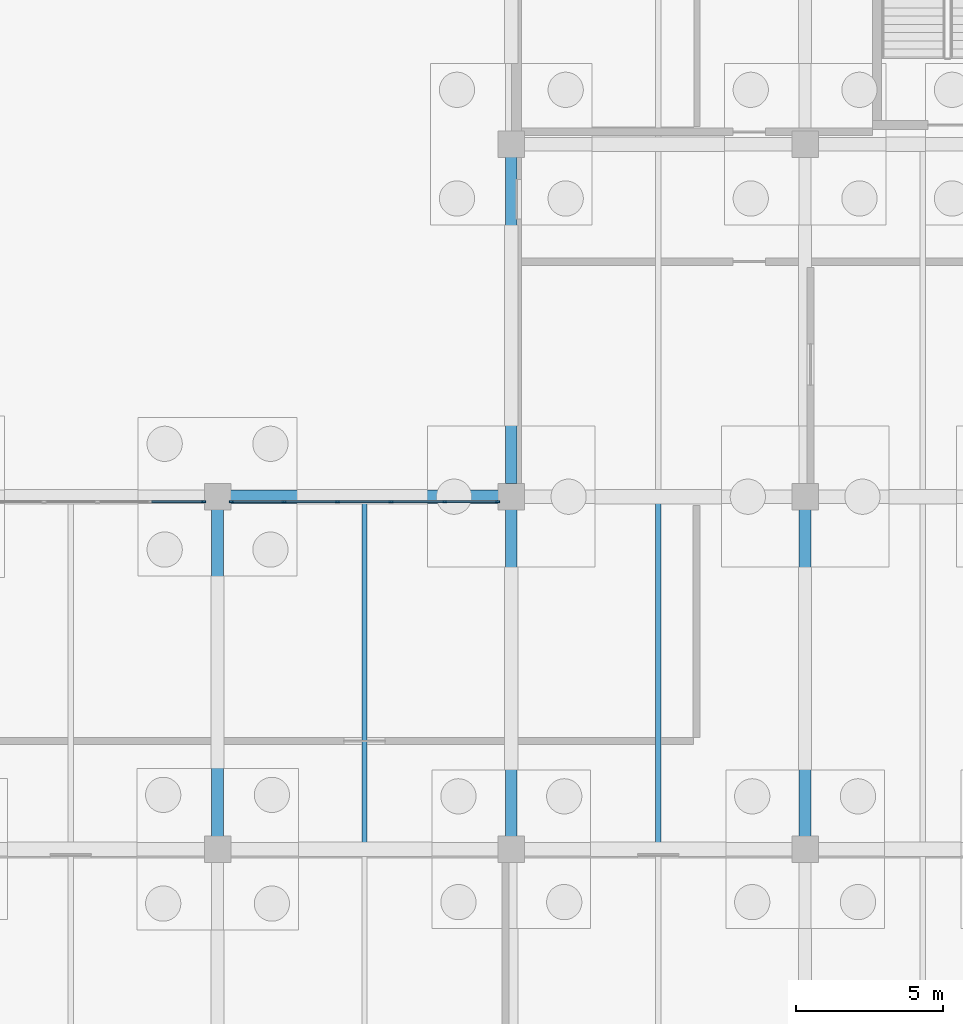
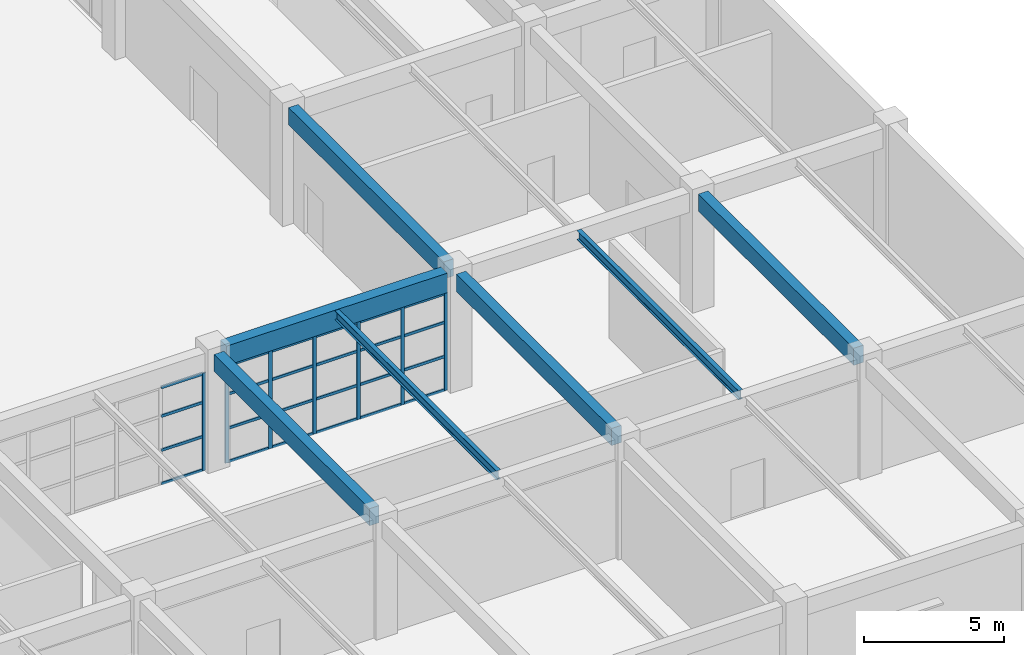
# One storey, part 57 of 99: 31 members, 7 beams, 2 elements without a shape of their own.
"""IFC4 building model written with IfcOpenShell, lengths in metres."""

from ifc_helpers import new_model, si_unit, direction, frame, origin, origin_2d, place, context, subcontext, project, spatial, rectangle, i_section, extrude, material, layer, layer_set, material_profile, profile_set, type_object, element, aggregate, save


model = new_model("IFC4")

# Units and contexts
model_context = context("Model", 3, precision=1e-05, world=origin(), true_north=direction((0.0, 1.0)))
body_context = subcontext(model_context, "Body", "Model", "MODEL_VIEW")
ifc_project = project(units=[si_unit("LENGTHUNIT", "METRE"), si_unit("AREAUNIT", "SQUARE_METRE"), si_unit("VOLUMEUNIT", "CUBIC_METRE"), si_unit("PLANEANGLEUNIT", "RADIAN"), si_unit("MASSUNIT", "GRAM", prefix="KILO")], contexts=[model_context])

# Site, building, storey
site_placement = place(None, origin())
site = spatial("IfcSite", under=ifc_project, at=site_placement, CompositionType="ELEMENT")
building_placement = place(site_placement, origin())
building = spatial("IfcBuilding", under=site, at=building_placement, Name="Kivolera Central Railway Station", CompositionType="ELEMENT")
storey_placement = place(building_placement, origin())
storey = spatial("IfcBuildingStorey", under=building, at=storey_placement, Name="L00", CompositionType="ELEMENT", Elevation=0.0)

# Beams
ifc_material_1 = material(Name="Steel S355", Category="steel")
ifc_material_profile_1 = material_profile(ifc_material_1, i_section(OverallWidth=0.179931640625, OverallDepth=0.39990234375, WebThickness=0.008544921875, FlangeThickness=0.013427734375, FilletRadius=0.02099609375, at=origin_2d()), Name="IPE 400")
ifc_profile_set_1 = profile_set([ifc_material_profile_1], Name="Steel S355")
beam_type_1 = type_object("IfcBeamType", Name="BM-JST-IPE400", PredefinedType="JOIST", material=ifc_profile_set_1)
for number, where, z_axis, x_axis, name in (
    (1, (173.0, 66.217041015625, 4.907958984375), (0.0, 1.0, 0.0), (-1.0, 0.0, 0.0), "L00 Floor Joist 17-18/F-G"),
    (2, (183.0, 66.217041015625, 4.907958984375), (0.0, 1.0, 0.0), (-1.0, 0.0, 0.0), "L00 Floor Joist 18-19/F-G"),
):
    element("IfcBeam", number, at=place(storey_placement, frame(where, z_axis=z_axis, x_axis=x_axis)), inside=storey, type_object=beam_type_1, Name=name, PredefinedType="JOIST", context=body_context, shape_type="SweptSolid", body=[
        extrude(i_section(OverallWidth=0.179931640625, OverallDepth=0.39990234375, WebThickness=0.008544921875, FlangeThickness=0.013427734375, FilletRadius=0.02099609375, at=origin_2d()), origin(), (0.0, 0.0, 1.0), 11.56591796875),
    ])
ifc_material_2 = material(Name="Concrete C40/50", Category="concrete")
ifc_material_profile_2 = material_profile(ifc_material_2, rectangle(XDim=0.39990234375, YDim=0.75, at=origin_2d()), Name="RC 400x750")
ifc_profile_set_2 = profile_set([ifc_material_profile_2], Name="Concrete C40/50")
beam_type_2 = type_object("IfcBeamType", Name="BM-RC-400x750", PredefinedType="BEAM", material=ifc_profile_set_2)
for number, where, z_axis, x_axis, name in (
    (3, (168.0, 66.44189453125, 4.7451171875), (0.0, 1.0, 0.0), (-1.0, 0.0, 0.0), "L00 Wing Y-Beam 17:F-G"),
    (4, (178.0, 66.44189453125, 4.7451171875), (0.0, 1.0, 0.0), (-1.0, 0.0, 0.0), "L00 Wing Y-Beam 18:F-G"),
    (5, (178.0, 78.44189453125, 4.7451171875), (0.0, 1.0, 0.0), (-1.0, 0.0, 0.0), "L00 Wing Y-Beam 18:G-H"),
    (6, (188.0, 66.44189453125, 4.7451171875), (0.0, 1.0, 0.0), (-1.0, 0.0, 0.0), "L00 Wing Y-Beam 19:F-G"),
):
    element("IfcBeam", number, at=place(storey_placement, frame(where, z_axis=z_axis, x_axis=x_axis)), inside=storey, type_object=beam_type_2, Name=name, PredefinedType="BEAM", context=body_context, shape_type="SweptSolid", body=[
        extrude(rectangle(XDim=0.39990234375, YDim=0.75, at=origin_2d()), origin(), (0.0, 0.0, 1.0), 11.1162109375),
    ])
ifc_material_profile_3 = material_profile(ifc_material_2, rectangle(XDim=0.449951171875, YDim=0.85009765625, at=origin_2d()), Name="RC 450x850")
ifc_profile_set_3 = profile_set([ifc_material_profile_3], Name="Concrete C40/50")
beam_type_3 = type_object("IfcBeamType", Name="BM-RC-450x850", PredefinedType="BEAM", material=ifc_profile_set_3)
beam_placement = place(storey_placement, frame((168.44189453125, 78.0, 4.695068359375), z_axis=(1.0, 0.0, 0.0), x_axis=(0.0, 1.0, 0.0)))
element("IfcBeam", 7, at=beam_placement, inside=storey, type_object=beam_type_3, Name="L00 Wing X-Beam G:17-18", PredefinedType="BEAM", context=body_context, shape_type="SweptSolid", body=[
    extrude(rectangle(XDim=0.449951171875, YDim=0.85009765625, at=origin_2d()), origin(), (0.0, 0.0, 1.0), 9.1162109375),
])

# Curtain wall, member
ifc_material_3 = material(Name="Anodised aluminium", Category="aluminium")
ifc_layer = layer(ifc_material_3, 0.179931640625, Name="Anodised aluminium")
ifc_layer_set = layer_set([ifc_layer], Name="Anodised aluminium")
curtain_wall_type = type_object("IfcCurtainWallType", Name="CW-SYS-21", PredefinedType="NOTDEFINED", material=ifc_layer_set)
curtain_wall_1_placement = place(storey_placement, origin())
curtain_wall_1 = element("IfcCurtainWall", 8, at=curtain_wall_1_placement, inside=storey, type_object=curtain_wall_type, Name="L00 Curtain Wall CW-L00-CRTS-158", PredefinedType="NOTDEFINED")
ifc_material_profile_4 = material_profile(ifc_material_3, rectangle(XDim=0.06005859375, YDim=0.14990234375, at=origin_2d()), Name="ALU MULL 60x150")
ifc_profile_set_4 = profile_set([ifc_material_profile_4], Name="Anodised aluminium")
member_type_1 = type_object("IfcMemberType", Name="CWM-MUL-2", PredefinedType="MULLION", material=ifc_profile_set_4)
member_1_placement = place(storey_placement, frame((167.52490234375, 77.830078125, -0.0048828125), z_axis=(0.0, 0.0, 1.0), x_axis=(0.0, 1.0, 0.0)))
member_1 = element("IfcMember", 9, at=member_1_placement, type_object=member_type_1, Name="CW-21 mullion 6", PredefinedType="MULLION", context=body_context, shape_type="SweptSolid", body=[
    extrude(rectangle(XDim=0.06005859375, YDim=0.14990234375, at=origin_2d()), origin(), (0.0, 0.0, 1.0), 4.262939453125),
])

# Curtain wall, members
curtain_wall_2_placement = place(storey_placement, origin())
curtain_wall_2 = element("IfcCurtainWall", 10, at=curtain_wall_2_placement, inside=storey, type_object=curtain_wall_type, Name="L00 Curtain Wall CW-L00-CRTS-168", PredefinedType="NOTDEFINED")
member_2_placement = place(storey_placement, frame((168.47509765625, 77.830078125, -0.0048828125), z_axis=(0.0, 0.0, 1.0), x_axis=(0.0, 1.0, 0.0)))
member_2 = element("IfcMember", 11, at=member_2_placement, type_object=member_type_1, Name="CW-21 mullion 1", PredefinedType="MULLION", context=body_context, shape_type="SweptSolid", body=[
    extrude(rectangle(XDim=0.06005859375, YDim=0.14990234375, at=origin_2d()), origin(), (0.0, 0.0, 1.0), 4.262939453125),
])
member_3_placement = place(storey_placement, frame((170.26708984375, 77.830078125, -0.0048828125), z_axis=(0.0, 0.0, 1.0), x_axis=(0.0, 1.0, 0.0)))
member_3 = element("IfcMember", 12, at=member_3_placement, type_object=member_type_1, Name="CW-21 mullion 2", PredefinedType="MULLION", context=body_context, shape_type="SweptSolid", body=[
    extrude(rectangle(XDim=0.06005859375, YDim=0.14990234375, at=origin_2d()), origin(), (0.0, 0.0, 1.0), 4.262939453125),
])
member_4_placement = place(storey_placement, frame((172.089111328125, 77.830078125, -0.0048828125), z_axis=(0.0, 0.0, 1.0), x_axis=(0.0, 1.0, 0.0)))
member_4 = element("IfcMember", 13, at=member_4_placement, type_object=member_type_1, Name="CW-21 mullion 3", PredefinedType="MULLION", context=body_context, shape_type="SweptSolid", body=[
    extrude(rectangle(XDim=0.06005859375, YDim=0.14990234375, at=origin_2d()), origin(), (0.0, 0.0, 1.0), 4.262939453125),
])
member_5_placement = place(storey_placement, frame((173.910888671875, 77.830078125, -0.0048828125), z_axis=(0.0, 0.0, 1.0), x_axis=(0.0, 1.0, 0.0)))
member_5 = element("IfcMember", 14, at=member_5_placement, type_object=member_type_1, Name="CW-21 mullion 4", PredefinedType="MULLION", context=body_context, shape_type="SweptSolid", body=[
    extrude(rectangle(XDim=0.06005859375, YDim=0.14990234375, at=origin_2d()), origin(), (0.0, 0.0, 1.0), 4.262939453125),
])
member_6_placement = place(storey_placement, frame((175.73291015625, 77.830078125, -0.0048828125), z_axis=(0.0, 0.0, 1.0), x_axis=(0.0, 1.0, 0.0)))
member_6 = element("IfcMember", 15, at=member_6_placement, type_object=member_type_1, Name="CW-21 mullion 5", PredefinedType="MULLION", context=body_context, shape_type="SweptSolid", body=[
    extrude(rectangle(XDim=0.06005859375, YDim=0.14990234375, at=origin_2d()), origin(), (0.0, 0.0, 1.0), 4.262939453125),
])
member_7_placement = place(storey_placement, frame((177.52490234375, 77.830078125, -0.0048828125), z_axis=(0.0, 0.0, 1.0), x_axis=(0.0, 1.0, 0.0)))
member_7 = element("IfcMember", 16, at=member_7_placement, type_object=member_type_1, Name="CW-21 mullion 6", PredefinedType="MULLION", context=body_context, shape_type="SweptSolid", body=[
    extrude(rectangle(XDim=0.06005859375, YDim=0.14990234375, at=origin_2d()), origin(), (0.0, 0.0, 1.0), 4.262939453125),
])

# Member
ifc_material_profile_5 = material_profile(ifc_material_3, rectangle(XDim=0.06005859375, YDim=0.1201171875, at=origin_2d()), Name="ALU TRAN 60x120")
ifc_profile_set_5 = profile_set([ifc_material_profile_5], Name="Anodised aluminium")
member_type_2 = type_object("IfcMemberType", Name="CWM-TRN-2", PredefinedType="USERDEFINED", material=ifc_profile_set_5)
member_8_placement = place(storey_placement, frame((165.762939453125, 77.830078125, 0.030029296875), z_axis=(1.0, 0.0, 0.0), x_axis=(0.0, 1.0, 0.0)))
member_8 = element("IfcMember", 17, at=member_8_placement, type_object=member_type_2, Name="CW-21 transom 5.1", ObjectType="TRANSOM", PredefinedType="USERDEFINED", context=body_context, shape_type="SweptSolid", body=[
    extrude(rectangle(XDim=0.06005859375, YDim=0.1201171875, at=origin_2d()), origin(), (0.0, 0.0, 1.0), 1.732177734375),
])

member_9_placement = place(storey_placement, frame((165.762939453125, 77.830078125, 1.490234375), z_axis=(1.0, 0.0, 0.0), x_axis=(0.0, 1.0, 0.0)))
member_9 = element("IfcMember", 18, at=member_9_placement, type_object=member_type_2, Name="CW-21 transom 5.2", ObjectType="TRANSOM", PredefinedType="USERDEFINED", context=body_context, shape_type="SweptSolid", body=[
    extrude(rectangle(XDim=0.06005859375, YDim=0.1201171875, at=origin_2d()), origin(), (0.0, 0.0, 1.0), 1.732177734375),
])

member_10_placement = place(storey_placement, frame((165.762939453125, 77.830078125, 2.980712890625), z_axis=(1.0, 0.0, 0.0), x_axis=(0.0, 1.0, 0.0)))
member_10 = element("IfcMember", 19, at=member_10_placement, type_object=member_type_2, Name="CW-21 transom 5.3", ObjectType="TRANSOM", PredefinedType="USERDEFINED", context=body_context, shape_type="SweptSolid", body=[
    extrude(rectangle(XDim=0.06005859375, YDim=0.1201171875, at=origin_2d()), origin(), (0.0, 0.0, 1.0), 1.732177734375),
])

member_11_placement = place(storey_placement, frame((165.762939453125, 77.830078125, 4.22802734375), z_axis=(1.0, 0.0, 0.0), x_axis=(0.0, 1.0, 0.0)))
member_11 = element("IfcMember", 20, at=member_11_placement, type_object=member_type_2, Name="CW-21 transom 5.4", ObjectType="TRANSOM", PredefinedType="USERDEFINED", context=body_context, shape_type="SweptSolid", body=[
    extrude(rectangle(XDim=0.06005859375, YDim=0.1201171875, at=origin_2d()), origin(), (0.0, 0.0, 1.0), 1.732177734375),
])

aggregate(curtain_wall_1, [member_1, member_8, member_9, member_10, member_11])

member_12_placement = place(storey_placement, frame((168.5048828125, 77.830078125, 0.030029296875), z_axis=(1.0, 0.0, 0.0), x_axis=(0.0, 1.0, 0.0)))
member_12 = element("IfcMember", 21, at=member_12_placement, type_object=member_type_2, Name="CW-21 transom 1.1", ObjectType="TRANSOM", PredefinedType="USERDEFINED", context=body_context, shape_type="SweptSolid", body=[
    extrude(rectangle(XDim=0.06005859375, YDim=0.1201171875, at=origin_2d()), origin(), (0.0, 0.0, 1.0), 1.732177734375),
])

member_13_placement = place(storey_placement, frame((168.5048828125, 77.830078125, 1.490234375), z_axis=(1.0, 0.0, 0.0), x_axis=(0.0, 1.0, 0.0)))
member_13 = element("IfcMember", 22, at=member_13_placement, type_object=member_type_2, Name="CW-21 transom 1.2", ObjectType="TRANSOM", PredefinedType="USERDEFINED", context=body_context, shape_type="SweptSolid", body=[
    extrude(rectangle(XDim=0.06005859375, YDim=0.1201171875, at=origin_2d()), origin(), (0.0, 0.0, 1.0), 1.732177734375),
])

member_14_placement = place(storey_placement, frame((168.5048828125, 77.830078125, 2.980712890625), z_axis=(1.0, 0.0, 0.0), x_axis=(0.0, 1.0, 0.0)))
member_14 = element("IfcMember", 23, at=member_14_placement, type_object=member_type_2, Name="CW-21 transom 1.3", ObjectType="TRANSOM", PredefinedType="USERDEFINED", context=body_context, shape_type="SweptSolid", body=[
    extrude(rectangle(XDim=0.06005859375, YDim=0.1201171875, at=origin_2d()), origin(), (0.0, 0.0, 1.0), 1.732177734375),
])

member_15_placement = place(storey_placement, frame((168.5048828125, 77.830078125, 4.22802734375), z_axis=(1.0, 0.0, 0.0), x_axis=(0.0, 1.0, 0.0)))
member_15 = element("IfcMember", 24, at=member_15_placement, type_object=member_type_2, Name="CW-21 transom 1.4", ObjectType="TRANSOM", PredefinedType="USERDEFINED", context=body_context, shape_type="SweptSolid", body=[
    extrude(rectangle(XDim=0.06005859375, YDim=0.1201171875, at=origin_2d()), origin(), (0.0, 0.0, 1.0), 1.732177734375),
])

member_16_placement = place(storey_placement, frame((170.297119140625, 77.830078125, 0.030029296875), z_axis=(1.0, 0.0, 0.0), x_axis=(0.0, 1.0, 0.0)))
member_16 = element("IfcMember", 25, at=member_16_placement, type_object=member_type_2, Name="CW-21 transom 2.1", ObjectType="TRANSOM", PredefinedType="USERDEFINED", context=body_context, shape_type="SweptSolid", body=[
    extrude(rectangle(XDim=0.06005859375, YDim=0.1201171875, at=origin_2d()), origin(), (0.0, 0.0, 1.0), 1.761962890625),
])

member_17_placement = place(storey_placement, frame((170.297119140625, 77.830078125, 1.490234375), z_axis=(1.0, 0.0, 0.0), x_axis=(0.0, 1.0, 0.0)))
member_17 = element("IfcMember", 26, at=member_17_placement, type_object=member_type_2, Name="CW-21 transom 2.2", ObjectType="TRANSOM", PredefinedType="USERDEFINED", context=body_context, shape_type="SweptSolid", body=[
    extrude(rectangle(XDim=0.06005859375, YDim=0.1201171875, at=origin_2d()), origin(), (0.0, 0.0, 1.0), 1.761962890625),
])

member_18_placement = place(storey_placement, frame((170.297119140625, 77.830078125, 2.980712890625), z_axis=(1.0, 0.0, 0.0), x_axis=(0.0, 1.0, 0.0)))
member_18 = element("IfcMember", 27, at=member_18_placement, type_object=member_type_2, Name="CW-21 transom 2.3", ObjectType="TRANSOM", PredefinedType="USERDEFINED", context=body_context, shape_type="SweptSolid", body=[
    extrude(rectangle(XDim=0.06005859375, YDim=0.1201171875, at=origin_2d()), origin(), (0.0, 0.0, 1.0), 1.761962890625),
])

member_19_placement = place(storey_placement, frame((170.297119140625, 77.830078125, 4.22802734375), z_axis=(1.0, 0.0, 0.0), x_axis=(0.0, 1.0, 0.0)))
member_19 = element("IfcMember", 28, at=member_19_placement, type_object=member_type_2, Name="CW-21 transom 2.4", ObjectType="TRANSOM", PredefinedType="USERDEFINED", context=body_context, shape_type="SweptSolid", body=[
    extrude(rectangle(XDim=0.06005859375, YDim=0.1201171875, at=origin_2d()), origin(), (0.0, 0.0, 1.0), 1.761962890625),
])

member_20_placement = place(storey_placement, frame((172.118896484375, 77.830078125, 0.030029296875), z_axis=(1.0, 0.0, 0.0), x_axis=(0.0, 1.0, 0.0)))
member_20 = element("IfcMember", 29, at=member_20_placement, type_object=member_type_2, Name="CW-21 transom 3.1", ObjectType="TRANSOM", PredefinedType="USERDEFINED", context=body_context, shape_type="SweptSolid", body=[
    extrude(rectangle(XDim=0.06005859375, YDim=0.1201171875, at=origin_2d()), origin(), (0.0, 0.0, 1.0), 1.76220703125),
])

member_21_placement = place(storey_placement, frame((172.118896484375, 77.830078125, 1.490234375), z_axis=(1.0, 0.0, 0.0), x_axis=(0.0, 1.0, 0.0)))
member_21 = element("IfcMember", 30, at=member_21_placement, type_object=member_type_2, Name="CW-21 transom 3.2", ObjectType="TRANSOM", PredefinedType="USERDEFINED", context=body_context, shape_type="SweptSolid", body=[
    extrude(rectangle(XDim=0.06005859375, YDim=0.1201171875, at=origin_2d()), origin(), (0.0, 0.0, 1.0), 1.76220703125),
])

member_22_placement = place(storey_placement, frame((172.118896484375, 77.830078125, 2.980712890625), z_axis=(1.0, 0.0, 0.0), x_axis=(0.0, 1.0, 0.0)))
member_22 = element("IfcMember", 31, at=member_22_placement, type_object=member_type_2, Name="CW-21 transom 3.3", ObjectType="TRANSOM", PredefinedType="USERDEFINED", context=body_context, shape_type="SweptSolid", body=[
    extrude(rectangle(XDim=0.06005859375, YDim=0.1201171875, at=origin_2d()), origin(), (0.0, 0.0, 1.0), 1.76220703125),
])

member_23_placement = place(storey_placement, frame((172.118896484375, 77.830078125, 4.22802734375), z_axis=(1.0, 0.0, 0.0), x_axis=(0.0, 1.0, 0.0)))
member_23 = element("IfcMember", 32, at=member_23_placement, type_object=member_type_2, Name="CW-21 transom 3.4", ObjectType="TRANSOM", PredefinedType="USERDEFINED", context=body_context, shape_type="SweptSolid", body=[
    extrude(rectangle(XDim=0.06005859375, YDim=0.1201171875, at=origin_2d()), origin(), (0.0, 0.0, 1.0), 1.76220703125),
])

member_24_placement = place(storey_placement, frame((173.94091796875, 77.830078125, 0.030029296875), z_axis=(1.0, 0.0, 0.0), x_axis=(0.0, 1.0, 0.0)))
member_24 = element("IfcMember", 33, at=member_24_placement, type_object=member_type_2, Name="CW-21 transom 4.1", ObjectType="TRANSOM", PredefinedType="USERDEFINED", context=body_context, shape_type="SweptSolid", body=[
    extrude(rectangle(XDim=0.06005859375, YDim=0.1201171875, at=origin_2d()), origin(), (0.0, 0.0, 1.0), 1.761962890625),
])

member_25_placement = place(storey_placement, frame((173.94091796875, 77.830078125, 1.490234375), z_axis=(1.0, 0.0, 0.0), x_axis=(0.0, 1.0, 0.0)))
member_25 = element("IfcMember", 34, at=member_25_placement, type_object=member_type_2, Name="CW-21 transom 4.2", ObjectType="TRANSOM", PredefinedType="USERDEFINED", context=body_context, shape_type="SweptSolid", body=[
    extrude(rectangle(XDim=0.06005859375, YDim=0.1201171875, at=origin_2d()), origin(), (0.0, 0.0, 1.0), 1.761962890625),
])

member_26_placement = place(storey_placement, frame((173.94091796875, 77.830078125, 2.980712890625), z_axis=(1.0, 0.0, 0.0), x_axis=(0.0, 1.0, 0.0)))
member_26 = element("IfcMember", 35, at=member_26_placement, type_object=member_type_2, Name="CW-21 transom 4.3", ObjectType="TRANSOM", PredefinedType="USERDEFINED", context=body_context, shape_type="SweptSolid", body=[
    extrude(rectangle(XDim=0.06005859375, YDim=0.1201171875, at=origin_2d()), origin(), (0.0, 0.0, 1.0), 1.761962890625),
])

member_27_placement = place(storey_placement, frame((173.94091796875, 77.830078125, 4.22802734375), z_axis=(1.0, 0.0, 0.0), x_axis=(0.0, 1.0, 0.0)))
member_27 = element("IfcMember", 36, at=member_27_placement, type_object=member_type_2, Name="CW-21 transom 4.4", ObjectType="TRANSOM", PredefinedType="USERDEFINED", context=body_context, shape_type="SweptSolid", body=[
    extrude(rectangle(XDim=0.06005859375, YDim=0.1201171875, at=origin_2d()), origin(), (0.0, 0.0, 1.0), 1.761962890625),
])

member_28_placement = place(storey_placement, frame((175.762939453125, 77.830078125, 0.030029296875), z_axis=(1.0, 0.0, 0.0), x_axis=(0.0, 1.0, 0.0)))
member_28 = element("IfcMember", 37, at=member_28_placement, type_object=member_type_2, Name="CW-21 transom 5.1", ObjectType="TRANSOM", PredefinedType="USERDEFINED", context=body_context, shape_type="SweptSolid", body=[
    extrude(rectangle(XDim=0.06005859375, YDim=0.1201171875, at=origin_2d()), origin(), (0.0, 0.0, 1.0), 1.732177734375),
])

member_29_placement = place(storey_placement, frame((175.762939453125, 77.830078125, 1.490234375), z_axis=(1.0, 0.0, 0.0), x_axis=(0.0, 1.0, 0.0)))
member_29 = element("IfcMember", 38, at=member_29_placement, type_object=member_type_2, Name="CW-21 transom 5.2", ObjectType="TRANSOM", PredefinedType="USERDEFINED", context=body_context, shape_type="SweptSolid", body=[
    extrude(rectangle(XDim=0.06005859375, YDim=0.1201171875, at=origin_2d()), origin(), (0.0, 0.0, 1.0), 1.732177734375),
])

member_30_placement = place(storey_placement, frame((175.762939453125, 77.830078125, 2.980712890625), z_axis=(1.0, 0.0, 0.0), x_axis=(0.0, 1.0, 0.0)))
member_30 = element("IfcMember", 39, at=member_30_placement, type_object=member_type_2, Name="CW-21 transom 5.3", ObjectType="TRANSOM", PredefinedType="USERDEFINED", context=body_context, shape_type="SweptSolid", body=[
    extrude(rectangle(XDim=0.06005859375, YDim=0.1201171875, at=origin_2d()), origin(), (0.0, 0.0, 1.0), 1.732177734375),
])

member_31_placement = place(storey_placement, frame((175.762939453125, 77.830078125, 4.22802734375), z_axis=(1.0, 0.0, 0.0), x_axis=(0.0, 1.0, 0.0)))
member_31 = element("IfcMember", 40, at=member_31_placement, type_object=member_type_2, Name="CW-21 transom 5.4", ObjectType="TRANSOM", PredefinedType="USERDEFINED", context=body_context, shape_type="SweptSolid", body=[
    extrude(rectangle(XDim=0.06005859375, YDim=0.1201171875, at=origin_2d()), origin(), (0.0, 0.0, 1.0), 1.732177734375),
])

aggregate(curtain_wall_2, [member_2, member_3, member_4, member_5, member_6, member_7, member_12, member_13, member_14, member_15, member_16, member_17, member_18, member_19, member_20, member_21, member_22, member_23, member_24, member_25, member_26, member_27, member_28, member_29, member_30, member_31])

save(model, "model.ifc")
